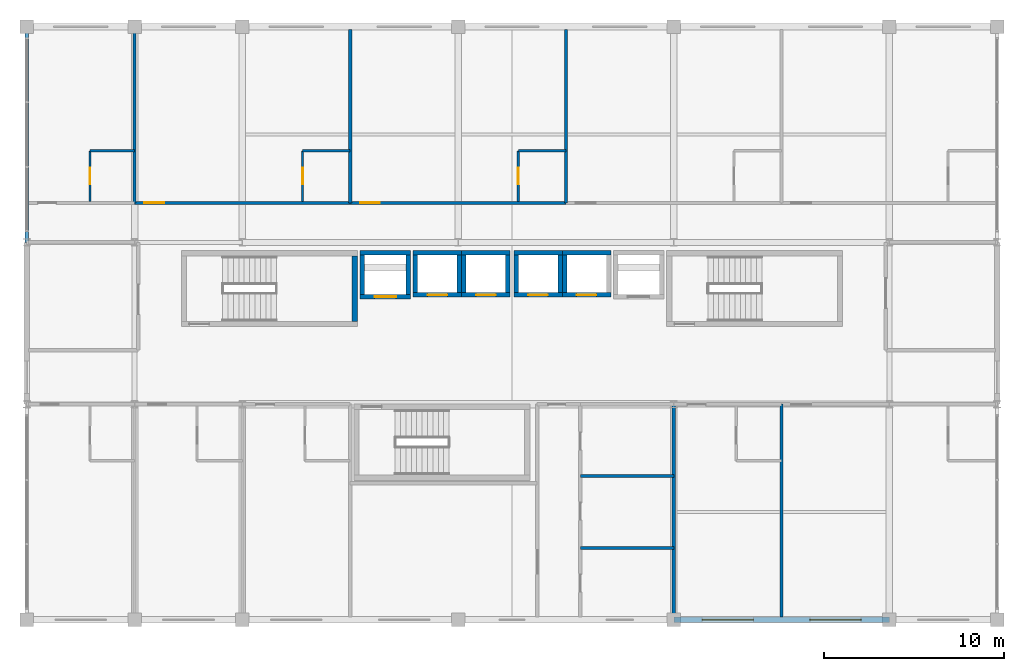
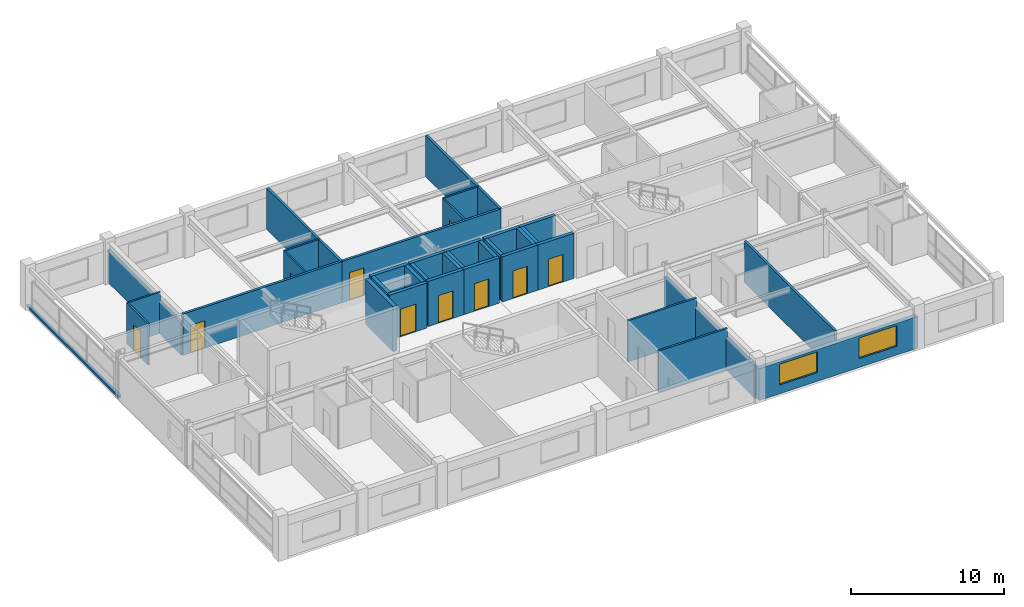
# One storey, part 17 of 20: 37 walls, 10 doors, 2 windows, 12 openings.
"""IFC4 building model written with IfcOpenShell, lengths in metres."""

from ifc_helpers import new_model, si_unit, direction, frame, frame_2d, origin, place, context, subcontext, project, spatial, rectangle, extrude, material, layer, layer_set, type_object, element, fill, save


model = new_model("IFC4")

# Units and contexts
model_context = context("Model", 3, precision=1e-05, world=origin(), true_north=direction((0.0, 1.0)))
body_context = subcontext(model_context, "Body", "Model", "MODEL_VIEW")
ifc_project = project(units=[si_unit("LENGTHUNIT", "METRE"), si_unit("AREAUNIT", "SQUARE_METRE"), si_unit("VOLUMEUNIT", "CUBIC_METRE"), si_unit("PLANEANGLEUNIT", "RADIAN"), si_unit("MASSUNIT", "GRAM", prefix="KILO")], contexts=[model_context])

# Site, building, storey
site_placement = place(None, origin())
site = spatial("IfcSite", under=ifc_project, at=site_placement, CompositionType="ELEMENT")
building_placement = place(site_placement, origin())
building = spatial("IfcBuilding", under=site, at=building_placement, Name="Kaldorvane Square Convention Centre", CompositionType="ELEMENT")
storey_placement = place(building_placement, frame((0.0, 0.0, 56.399993896484375)))
storey = spatial("IfcBuildingStorey", under=building, at=storey_placement, Name="L13", CompositionType="ELEMENT", Elevation=56.399993896484375)

# Wall, opening, door
ifc_material_1 = material(Name="Fire-Rated Gypsum Board on Acoustic Steel Studs", Category="steel")
ifc_layer_1 = layer(ifc_material_1, 0.125)
ifc_layer_set_1 = layer_set([ifc_layer_1], Name="Fire-Rated Gypsum Board on Acoustic Steel Studs")
wall_type_1 = type_object("IfcWallType", Name="WL-BATH-125", PredefinedType="PARTITIONING", material=ifc_layer_set_1)
wall_1_placement = place(storey_placement, frame((33.52000427246094, 107.28999328613281, 0.0), z_axis=(0.0, 0.0, 1.0), x_axis=(0.0, 1.0, 0.0)))
wall_1 = element("IfcWall", 1, at=wall_1_placement, inside=storey, type_object=wall_type_1, Name="En-Suite 1301 West Wall", PredefinedType="PARTITIONING", context=body_context, shape_type="SweptSolid", body=[
    extrude(rectangle(XDim=2.8100128173828125, YDim=0.125, at=frame_2d((1.404998779296875, 0.0))), origin(), (0.0, 0.0, 1.0), 3.290008544921875),
])
opening_1_placement = place(wall_1_placement, frame((0.9499969482421875, 0.0, 0.0)))
opening_1 = element("IfcOpeningElement", 2, at=opening_1_placement, cuts=wall_1, Name="Opening ID-12", PredefinedType="OPENING", context=body_context, shape_type="SweptSolid", body=[
    extrude(rectangle(XDim=0.9199981689453125, YDim=2.100006103515625, at=frame_2d((0.459991455078125, 1.0500030517578125))), frame((0.0, 0.0774993896484375, 0.0), z_axis=(0.0, -1.0, 0.0), x_axis=(1.0, 0.0, 0.0)), (0.0, 0.0, 1.0), 0.154998779296875),
])
ifc_material_2 = material(Name="Architectural Solid-Core White Oak")
door_type_1 = type_object("IfcDoorType", Name="DR-BATH-0920X2100", OperationType="SINGLE_SWING_RIGHT", PredefinedType="DOOR", material=ifc_material_2)
door_1_placement = place(opening_1_placement, origin())
door_1 = element("IfcDoor", 3, at=door_1_placement, inside=storey, type_object=door_type_1, Name="En-Suite Bathroom 1301 Door", OperationType="SINGLE_SWING_RIGHT", OverallHeight=2.100006103515625, OverallWidth=0.9199981689453125, PredefinedType="DOOR", context=body_context, shape_type="SweptSolid", body=[
    extrude(rectangle(XDim=0.9199981689453125, YDim=2.100006103515625, at=frame_2d((0.459991455078125, 1.0500030517578125))), frame((0.0, 0.024993896484375, 0.0), z_axis=(0.0, -1.0, 0.0), x_axis=(1.0, 0.0, 0.0)), (0.0, 0.0, 1.0), 0.0500030517578125),
])
fill(opening_1, door_1)

# Wall
wall_2_placement = place(storey_placement, frame((33.52000427246094, 110.10000610351562, 0.0), z_axis=(0.0, 0.0, 1.0), x_axis=(1.0, 0.0, 0.0)))
element("IfcWall", 4, at=wall_2_placement, inside=storey, type_object=wall_type_1, Name="En-Suite 1301 North Wall", PredefinedType="PARTITIONING", context=body_context, shape_type="SweptSolid", body=[
    extrude(rectangle(XDim=2.4799957275390625, YDim=0.125, at=frame_2d((1.239990234375, 0.0))), origin(), (0.0, 0.0, 1.0), 3.290008544921875),
])

# Wall, opening, door
wall_3_placement = place(storey_placement, frame((45.350006103515625, 107.28999328613281, 0.0), z_axis=(0.0, 0.0, 1.0), x_axis=(0.0, 1.0, 0.0)))
wall_3 = element("IfcWall", 5, at=wall_3_placement, inside=storey, type_object=wall_type_1, Name="En-Suite 1302 West Wall", PredefinedType="PARTITIONING", context=body_context, shape_type="SweptSolid", body=[
    extrude(rectangle(XDim=2.8100128173828125, YDim=0.125, at=frame_2d((1.404998779296875, 0.0))), origin(), (0.0, 0.0, 1.0), 3.290008544921875),
])
opening_2_placement = place(wall_3_placement, frame((0.9499969482421875, 0.0, 0.0)))
opening_2 = element("IfcOpeningElement", 6, at=opening_2_placement, cuts=wall_3, Name="Opening ID-12", PredefinedType="OPENING", context=body_context, shape_type="SweptSolid", body=[
    extrude(rectangle(XDim=0.9199981689453125, YDim=2.100006103515625, at=frame_2d((0.459991455078125, 1.0500030517578125))), frame((0.0, 0.0774993896484375, 0.0), z_axis=(0.0, -1.0, 0.0), x_axis=(1.0, 0.0, 0.0)), (0.0, 0.0, 1.0), 0.154998779296875),
])
door_2_placement = place(opening_2_placement, origin())
door_2 = element("IfcDoor", 7, at=door_2_placement, inside=storey, type_object=door_type_1, Name="En-Suite Bathroom 1302 Door", OperationType="SINGLE_SWING_RIGHT", OverallHeight=2.100006103515625, OverallWidth=0.9199981689453125, PredefinedType="DOOR", context=body_context, shape_type="SweptSolid", body=[
    extrude(rectangle(XDim=0.9199981689453125, YDim=2.100006103515625, at=frame_2d((0.459991455078125, 1.0500030517578125))), frame((0.0, 0.024993896484375, 0.0), z_axis=(0.0, -1.0, 0.0), x_axis=(1.0, 0.0, 0.0)), (0.0, 0.0, 1.0), 0.0500030517578125),
])
fill(opening_2, door_2)

# Wall
wall_4_placement = place(storey_placement, frame((45.350006103515625, 110.10000610351562, 0.0), z_axis=(0.0, 0.0, 1.0), x_axis=(1.0, 0.0, 0.0)))
element("IfcWall", 8, at=wall_4_placement, inside=storey, type_object=wall_type_1, Name="En-Suite 1302 North Wall", PredefinedType="PARTITIONING", context=body_context, shape_type="SweptSolid", body=[
    extrude(rectangle(XDim=2.649993896484375, YDim=0.125, at=frame_2d((1.3249969482421875, 0.0))), origin(), (0.0, 0.0, 1.0), 3.290008544921875),
])

# Wall, opening, door
wall_5_placement = place(storey_placement, frame((57.350006103515625, 107.28999328613281, 0.0), z_axis=(0.0, 0.0, 1.0), x_axis=(0.0, 1.0, 0.0)))
wall_5 = element("IfcWall", 9, at=wall_5_placement, inside=storey, type_object=wall_type_1, Name="En-Suite 1303 West Wall", PredefinedType="PARTITIONING", context=body_context, shape_type="SweptSolid", body=[
    extrude(rectangle(XDim=2.8100128173828125, YDim=0.125, at=frame_2d((1.404998779296875, 0.0))), origin(), (0.0, 0.0, 1.0), 3.290008544921875),
])
opening_3_placement = place(wall_5_placement, frame((0.9499969482421875, 0.0, 0.0)))
opening_3 = element("IfcOpeningElement", 10, at=opening_3_placement, cuts=wall_5, Name="Opening ID-12", PredefinedType="OPENING", context=body_context, shape_type="SweptSolid", body=[
    extrude(rectangle(XDim=0.9199981689453125, YDim=2.100006103515625, at=frame_2d((0.459991455078125, 1.0500030517578125))), frame((0.0, 0.0774993896484375, 0.0), z_axis=(0.0, -1.0, 0.0), x_axis=(1.0, 0.0, 0.0)), (0.0, 0.0, 1.0), 0.154998779296875),
])
door_3_placement = place(opening_3_placement, origin())
door_3 = element("IfcDoor", 11, at=door_3_placement, inside=storey, type_object=door_type_1, Name="En-Suite Bathroom 1303 Door", OperationType="SINGLE_SWING_RIGHT", OverallHeight=2.100006103515625, OverallWidth=0.9199981689453125, PredefinedType="DOOR", context=body_context, shape_type="SweptSolid", body=[
    extrude(rectangle(XDim=0.9199981689453125, YDim=2.100006103515625, at=frame_2d((0.459991455078125, 1.0500030517578125))), frame((0.0, 0.024993896484375, 0.0), z_axis=(0.0, -1.0, 0.0), x_axis=(1.0, 0.0, 0.0)), (0.0, 0.0, 1.0), 0.0500030517578125),
])
fill(opening_3, door_3)

# Walls
wall_6_placement = place(storey_placement, frame((57.350006103515625, 110.10000610351562, 0.0), z_axis=(0.0, 0.0, 1.0), x_axis=(1.0, 0.0, 0.0)))
element("IfcWall", 12, at=wall_6_placement, inside=storey, type_object=wall_type_1, Name="En-Suite 1303 North Wall", PredefinedType="PARTITIONING", context=body_context, shape_type="SweptSolid", body=[
    extrude(rectangle(XDim=2.649993896484375, YDim=0.125, at=frame_2d((1.3249969482421875, 0.0))), origin(), (0.0, 0.0, 1.0), 3.290008544921875),
])
ifc_layer_2 = layer(ifc_material_1, 0.1999969482421875)
ifc_layer_set_2 = layer_set([ifc_layer_2], Name="Fire-Rated Gypsum Board on Acoustic Steel Studs")
wall_type_2 = type_object("IfcWallType", Name="WL-CORR-200", PredefinedType="PARTITIONING", material=ifc_layer_set_2)
wall_7_placement = place(storey_placement, frame((66.0, 84.16000366210938, 0.0), z_axis=(0.0, 0.0, 1.0), x_axis=(0.0, 1.0, 0.0)))
element("IfcWall", 13, at=wall_7_placement, inside=storey, type_object=wall_type_2, Name="Restroom East Wall (L13)", PredefinedType="PARTITIONING", context=body_context, shape_type="SweptSolid", body=[
    extrude(rectangle(XDim=11.839996337890625, YDim=0.1999969482421875, at=frame_2d((5.9199981689453125, 0.0))), origin(), (0.0, 0.0, 1.0), 2.5900115966796875),
])

# Wall, openings, windows
ifc_material_3 = material(Name="Concrete f'c = 35 MPa (Normalweight)", Category="concrete")
ifc_layer_3 = layer(ifc_material_3, 0.32000732421875)
ifc_layer_set_3 = layer_set([ifc_layer_3], Name="Concrete f'c = 35 MPa (Normalweight)")
wall_type_3 = type_object("IfcWallType", Name="WL-EXT-320", PredefinedType="STANDARD", material=ifc_layer_set_3)
wall_8_placement = place(storey_placement, frame((66.0, 84.0, 0.0), z_axis=(0.0, 0.0, 1.0), x_axis=(1.0, 0.0, 0.0)))
wall_8 = element("IfcWall", 14, at=wall_8_placement, inside=storey, type_object=wall_type_3, Name="Hotel S Brutalist Facade Wall (L13)", PredefinedType="STANDARD", context=body_context, shape_type="SweptSolid", body=[
    extrude(rectangle(XDim=12.0, YDim=0.32000732421875, at=frame_2d((6.0, 0.0))), origin(), (0.0, 0.0, 1.0), 2.5360107421875),
])
opening_4_placement = place(wall_8_placement, frame((1.5749969482421875, 0.0, 0.6999969482421875)))
opening_4 = element("IfcOpeningElement", 15, at=opening_4_placement, cuts=wall_8, Name="Opening W-04", PredefinedType="OPENING", context=body_context, shape_type="SweptSolid", body=[
    extrude(rectangle(XDim=2.850006103515625, YDim=1.649993896484375, at=frame_2d((1.4250030517578125, 0.8249969482421875))), frame((0.0, 0.1750030517578125, 0.0), z_axis=(0.0, -1.0, 0.0), x_axis=(1.0, 0.0, 0.0)), (0.0, 0.0, 1.0), 0.350006103515625),
])
opening_5_placement = place(wall_8_placement, frame((7.5749969482421875, 0.0, 0.6999969482421875)))
opening_5 = element("IfcOpeningElement", 16, at=opening_5_placement, cuts=wall_8, Name="Opening W-04", PredefinedType="OPENING", context=body_context, shape_type="SweptSolid", body=[
    extrude(rectangle(XDim=2.850006103515625, YDim=1.649993896484375, at=frame_2d((1.4250030517578125, 0.8249969482421875))), frame((0.0, 0.1750030517578125, 0.0), z_axis=(0.0, -1.0, 0.0), x_axis=(1.0, 0.0, 0.0)), (0.0, 0.0, 1.0), 0.350006103515625),
])
ifc_material_4 = material(Name="Anodized Aluminum and Low-E Insulated Glazing", Category="aluminium")
window_type = type_object("IfcWindowType", Name="WN-HTL-2850X1650", PartitioningType="TRIPLE_PANEL_VERTICAL", PredefinedType="WINDOW", material=ifc_material_4)
window_1_placement = place(opening_4_placement, origin())
window_1 = element("IfcWindow", 17, at=window_1_placement, inside=storey, type_object=window_type, Name="Hotel S Window (L13)", OverallHeight=1.649993896484375, OverallWidth=2.850006103515625, PartitioningType="TRIPLE_PANEL_VERTICAL", PredefinedType="WINDOW", context=body_context, shape_type="SweptSolid", body=[
    extrude(rectangle(XDim=2.850006103515625, YDim=1.649993896484375, at=frame_2d((1.4250030517578125, 0.8249969482421875))), frame((0.0, 0.029998779296875, 0.0), z_axis=(0.0, -1.0, 0.0), x_axis=(1.0, 0.0, 0.0)), (0.0, 0.0, 1.0), 0.05999755859375),
])
fill(opening_4, window_1)
window_2_placement = place(opening_5_placement, origin())
window_2 = element("IfcWindow", 18, at=window_2_placement, inside=storey, type_object=window_type, Name="Hotel S Window (L13)", OverallHeight=1.649993896484375, OverallWidth=2.850006103515625, PartitioningType="TRIPLE_PANEL_VERTICAL", PredefinedType="WINDOW", context=body_context, shape_type="SweptSolid", body=[
    extrude(rectangle(XDim=2.850006103515625, YDim=1.649993896484375, at=frame_2d((1.4250030517578125, 0.8249969482421875))), frame((0.0, 0.029998779296875, 0.0), z_axis=(0.0, -1.0, 0.0), x_axis=(1.0, 0.0, 0.0)), (0.0, 0.0, 1.0), 0.05999755859375),
])
fill(opening_5, window_2)

# Walls
ifc_layer_4 = layer(ifc_material_3, 0.220001220703125)
ifc_layer_set_4 = layer_set([ifc_layer_4], Name="Concrete f'c = 35 MPa (Normalweight)")
wall_type_4 = type_object("IfcWallType", Name="WL-PAR-220", PredefinedType="PARAPET", material=ifc_layer_set_4)
wall_9_placement = place(storey_placement, frame((30.0, 117.0, 0.0), z_axis=(0.0, 0.0, 1.0), x_axis=(0.0, -1.0, 0.0)))
element("IfcWall", 19, at=wall_9_placement, inside=storey, type_object=wall_type_4, Name="Hotel End Curtain-Wall Sill (L13)", PredefinedType="PARAPET", context=body_context, shape_type="SweptSolid", body=[
    extrude(rectangle(XDim=12.0, YDim=0.220001220703125, at=frame_2d((6.0, 0.0))), origin(), (0.0, 0.0, 1.0), 0.20001220703125),
])
ifc_layer_5 = layer(ifc_material_1, 0.149993896484375)
ifc_layer_set_5 = layer_set([ifc_layer_5], Name="Fire-Rated Gypsum Board on Acoustic Steel Studs")
wall_type_5 = type_object("IfcWallType", Name="WL-PART-150", PredefinedType="PARTITIONING", material=ifc_layer_set_5)
for number, where, z_axis, x_axis, name in (
    (20, (60.80000305175781, 88.0, 0.0), (0.0, 0.0, 1.0), (1.0, 0.0, 0.0), "Restroom Partition 1 (L13)"),
    (21, (60.80000305175781, 92.0, 0.0), (0.0, 0.0, 1.0), (1.0, 0.0, 0.0), "Restroom Partition 2 (L13)"),
):
    element("IfcWall", number, at=place(storey_placement, frame(where, z_axis=z_axis, x_axis=x_axis)), inside=storey, type_object=wall_type_5, Name=name, PredefinedType="PARTITIONING", context=body_context, shape_type="SweptSolid", body=[
        extrude(rectangle(XDim=5.1999969482421875, YDim=0.149993896484375, at=frame_2d((2.600006103515625, 0.0))), origin(), (0.0, 0.0, 1.0), 3.290008544921875),
    ])
ifc_material_5 = material(Name="Concrete f'c = 55 MPa (Normalweight)", Category="concrete")
ifc_layer_6 = layer(ifc_material_5, 0.3000030517578125)
ifc_layer_set_6 = layer_set([ifc_layer_6], Name="Concrete f'c = 55 MPa (Normalweight)")
wall_type_6 = type_object("IfcWallType", Name="WL-SHAFT-300", PredefinedType="SHEAR", material=ifc_layer_set_6)
wall_10_placement = place(storey_placement, frame((48.25, 100.61000061035156, 0.0), z_axis=(0.0, 0.0, 1.0), x_axis=(0.0, 1.0, 0.0)))
element("IfcWall", 22, at=wall_10_placement, inside=storey, type_object=wall_type_6, Name="Core Enclosure Wall stair:ST-T1-E (L13)", PredefinedType="SHEAR", context=body_context, shape_type="SweptSolid", body=[
    extrude(rectangle(XDim=3.6399993896484375, YDim=0.3000030517578125, at=frame_2d((1.82000732421875, 0.0))), origin(), (0.0, 0.0, 1.0), 3.600006103515625),
])

# Wall, opening, door
wall_11_placement = place(storey_placement, frame((48.55000305175781, 101.97500610351562, 0.0), z_axis=(0.0, 0.0, 1.0), x_axis=(1.0, 0.0, 0.0)))
wall_11 = element("IfcWall", 23, at=wall_11_placement, inside=storey, type_object=wall_type_6, Name="Core Enclosure Wall lift:FSAE-01-S (L13)", PredefinedType="SHEAR", context=body_context, shape_type="SweptSolid", body=[
    extrude(rectangle(XDim=2.8000030517578125, YDim=0.25, at=frame_2d((1.399993896484375, 0.0))), origin(), (0.0, 0.0, 1.0), 3.600006103515625),
])
opening_6_placement = place(wall_11_placement, frame((0.8000030517578125, 0.0, 0.0)))
opening_6 = element("IfcOpeningElement", 24, at=opening_6_placement, cuts=wall_11, Name="Opening LD-02", PredefinedType="OPENING", context=body_context, shape_type="SweptSolid", body=[
    extrude(rectangle(XDim=1.1999969482421875, YDim=2.1999969482421875, at=frame_2d((0.600006103515625, 1.100006103515625))), frame((0.0, 0.1399993896484375, 0.0), z_axis=(0.0, -1.0, 0.0), x_axis=(1.0, 0.0, 0.0)), (0.0, 0.0, 1.0), 0.279998779296875),
])
ifc_material_6 = material(Name="Stainless Steel Elevator Door Assembly", Category="steel")
door_type_2 = type_object("IfcDoorType", Name="DR-LIFT-1200", OperationType="DOUBLE_DOOR_SLIDING", PredefinedType="DOOR", material=ifc_material_6)
door_4_placement = place(opening_6_placement, origin())
door_4 = element("IfcDoor", 25, at=door_4_placement, inside=storey, type_object=door_type_2, Name="Elevator Landing Door FSAE-01 (L13)", OperationType="DOUBLE_DOOR_SLIDING", OverallHeight=2.1999969482421875, OverallWidth=1.1999969482421875, PredefinedType="DOOR", context=body_context, shape_type="SweptSolid", body=[
    extrude(rectangle(XDim=1.1999969482421875, YDim=2.1999969482421875, at=frame_2d((0.600006103515625, 1.100006103515625))), frame((0.0, 0.024993896484375, 0.0), z_axis=(0.0, -1.0, 0.0), x_axis=(1.0, 0.0, 0.0)), (0.0, 0.0, 1.0), 0.0500030517578125),
])
fill(opening_6, door_4)

# Walls
wall_12_placement = place(storey_placement, frame((51.350006103515625, 104.42500305175781, 0.0), z_axis=(0.0, 0.0, 1.0), x_axis=(-1.0, 0.0, 0.0)))
element("IfcWall", 26, at=wall_12_placement, inside=storey, type_object=wall_type_6, Name="Core Enclosure Wall lift:FSAE-01-N (L13)", PredefinedType="SHEAR", context=body_context, shape_type="SweptSolid", body=[
    extrude(rectangle(XDim=2.8000030517578125, YDim=0.25, at=frame_2d((1.399993896484375, 0.0))), origin(), (0.0, 0.0, 1.0), 3.600006103515625),
])
for number, where, z_axis, x_axis, name in (
    (27, (48.67500305175781, 104.30000305175781, 0.0), (0.0, 0.0, 1.0), (0.0, -1.0, 0.0), "Core Enclosure Wall lift:FSAE-01-W (L13)"),
    (28, (51.225006103515625, 102.10000610351562, 0.0), (0.0, 0.0, 1.0), (0.0, 1.0, 0.0), "Core Enclosure Wall lift:FSAE-01-E (L13)"),
):
    element("IfcWall", number, at=place(storey_placement, frame(where, z_axis=z_axis, x_axis=x_axis)), inside=storey, type_object=wall_type_6, Name=name, PredefinedType="SHEAR", context=body_context, shape_type="SweptSolid", body=[
        extrude(rectangle(XDim=2.1999969482421875, YDim=0.25, at=frame_2d((1.100006103515625, 0.0))), origin(), (0.0, 0.0, 1.0), 3.600006103515625),
    ])

# Wall, opening, door
wall_13_placement = place(storey_placement, frame((51.5, 102.07499694824219, 0.0), z_axis=(0.0, 0.0, 1.0), x_axis=(1.0, 0.0, 0.0)))
wall_13 = element("IfcWall", 29, at=wall_13_placement, inside=storey, type_object=wall_type_6, Name="Core Enclosure Wall lift:EL-P1-S (L13)", PredefinedType="SHEAR", context=body_context, shape_type="SweptSolid", body=[
    extrude(rectangle(XDim=2.6999969482421875, YDim=0.25, at=frame_2d((1.350006103515625, 0.0))), origin(), (0.0, 0.0, 1.0), 3.600006103515625),
])
opening_7_placement = place(wall_13_placement, frame((0.8000030517578125, 0.0, 0.0)))
opening_7 = element("IfcOpeningElement", 30, at=opening_7_placement, cuts=wall_13, Name="Opening LD-01", PredefinedType="OPENING", context=body_context, shape_type="SweptSolid", body=[
    extrude(rectangle(XDim=1.100006103515625, YDim=2.1999969482421875, at=frame_2d((0.5500030517578125, 1.100006103515625))), frame((0.0, 0.1399993896484375, 0.0), z_axis=(0.0, -1.0, 0.0), x_axis=(1.0, 0.0, 0.0)), (0.0, 0.0, 1.0), 0.279998779296875),
])
door_type_3 = type_object("IfcDoorType", Name="DR-LIFT-1100", OperationType="DOUBLE_DOOR_SLIDING", PredefinedType="DOOR", material=ifc_material_6)
door_5_placement = place(opening_7_placement, origin())
door_5 = element("IfcDoor", 31, at=door_5_placement, inside=storey, type_object=door_type_3, Name="Elevator Landing Door EL-P1 (L13)", OperationType="DOUBLE_DOOR_SLIDING", OverallHeight=2.1999969482421875, OverallWidth=1.100006103515625, PredefinedType="DOOR", context=body_context, shape_type="SweptSolid", body=[
    extrude(rectangle(XDim=1.100006103515625, YDim=2.1999969482421875, at=frame_2d((0.5500030517578125, 1.100006103515625))), frame((0.0, 0.024993896484375, 0.0), z_axis=(0.0, -1.0, 0.0), x_axis=(1.0, 0.0, 0.0)), (0.0, 0.0, 1.0), 0.0500030517578125),
])
fill(opening_7, door_5)

# Walls
wall_14_placement = place(storey_placement, frame((54.19999694824219, 104.42500305175781, 0.0), z_axis=(0.0, 0.0, 1.0), x_axis=(-1.0, 0.0, 0.0)))
element("IfcWall", 32, at=wall_14_placement, inside=storey, type_object=wall_type_6, Name="Core Enclosure Wall lift:EL-P1-N (L13)", PredefinedType="SHEAR", context=body_context, shape_type="SweptSolid", body=[
    extrude(rectangle(XDim=2.6999969482421875, YDim=0.25, at=frame_2d((1.350006103515625, 0.0))), origin(), (0.0, 0.0, 1.0), 3.600006103515625),
])
for number, where, z_axis, x_axis, name in (
    (33, (51.625, 104.30000305175781, 0.0), (0.0, 0.0, 1.0), (0.0, -1.0, 0.0), "Core Enclosure Wall lift:EL-P1-W (L13)"),
    (34, (54.07499694824219, 102.19999694824219, 0.0), (0.0, 0.0, 1.0), (0.0, 1.0, 0.0), "Core Enclosure Wall lift:EL-P1-E (L13)"),
):
    element("IfcWall", number, at=place(storey_placement, frame(where, z_axis=z_axis, x_axis=x_axis)), inside=storey, type_object=wall_type_6, Name=name, PredefinedType="SHEAR", context=body_context, shape_type="SweptSolid", body=[
        extrude(rectangle(XDim=2.100006103515625, YDim=0.25, at=frame_2d((1.0500030517578125, 0.0))), origin(), (0.0, 0.0, 1.0), 3.600006103515625),
    ])

# Wall, opening, door
wall_15_placement = place(storey_placement, frame((54.19999694824219, 102.07499694824219, 0.0), z_axis=(0.0, 0.0, 1.0), x_axis=(1.0, 0.0, 0.0)))
wall_15 = element("IfcWall", 35, at=wall_15_placement, inside=storey, type_object=wall_type_6, Name="Core Enclosure Wall lift:EL-P2-S (L13)", PredefinedType="SHEAR", context=body_context, shape_type="SweptSolid", body=[
    extrude(rectangle(XDim=2.6999969482421875, YDim=0.25, at=frame_2d((1.350006103515625, 0.0))), origin(), (0.0, 0.0, 1.0), 3.600006103515625),
])
opening_8_placement = place(wall_15_placement, frame((0.8000030517578125, 0.0, 0.0)))
opening_8 = element("IfcOpeningElement", 36, at=opening_8_placement, cuts=wall_15, Name="Opening LD-01", PredefinedType="OPENING", context=body_context, shape_type="SweptSolid", body=[
    extrude(rectangle(XDim=1.100006103515625, YDim=2.1999969482421875, at=frame_2d((0.5500030517578125, 1.100006103515625))), frame((0.0, 0.1399993896484375, 0.0), z_axis=(0.0, -1.0, 0.0), x_axis=(1.0, 0.0, 0.0)), (0.0, 0.0, 1.0), 0.279998779296875),
])
door_6_placement = place(opening_8_placement, origin())
door_6 = element("IfcDoor", 37, at=door_6_placement, inside=storey, type_object=door_type_3, Name="Elevator Landing Door EL-P2 (L13)", OperationType="DOUBLE_DOOR_SLIDING", OverallHeight=2.1999969482421875, OverallWidth=1.100006103515625, PredefinedType="DOOR", context=body_context, shape_type="SweptSolid", body=[
    extrude(rectangle(XDim=1.100006103515625, YDim=2.1999969482421875, at=frame_2d((0.5500030517578125, 1.100006103515625))), frame((0.0, 0.024993896484375, 0.0), z_axis=(0.0, -1.0, 0.0), x_axis=(1.0, 0.0, 0.0)), (0.0, 0.0, 1.0), 0.0500030517578125),
])
fill(opening_8, door_6)

# Walls
wall_16_placement = place(storey_placement, frame((56.899993896484375, 104.42500305175781, 0.0), z_axis=(0.0, 0.0, 1.0), x_axis=(-1.0, 0.0, 0.0)))
element("IfcWall", 38, at=wall_16_placement, inside=storey, type_object=wall_type_6, Name="Core Enclosure Wall lift:EL-P2-N (L13)", PredefinedType="SHEAR", context=body_context, shape_type="SweptSolid", body=[
    extrude(rectangle(XDim=2.6999969482421875, YDim=0.25, at=frame_2d((1.350006103515625, 0.0))), origin(), (0.0, 0.0, 1.0), 3.600006103515625),
])
for number, where, z_axis, x_axis, name in (
    (39, (54.32499694824219, 104.30000305175781, 0.0), (0.0, 0.0, 1.0), (0.0, -1.0, 0.0), "Core Enclosure Wall lift:EL-P2-W (L13)"),
    (40, (56.774993896484375, 102.19999694824219, 0.0), (0.0, 0.0, 1.0), (0.0, 1.0, 0.0), "Core Enclosure Wall lift:EL-P2-E (L13)"),
):
    element("IfcWall", number, at=place(storey_placement, frame(where, z_axis=z_axis, x_axis=x_axis)), inside=storey, type_object=wall_type_6, Name=name, PredefinedType="SHEAR", context=body_context, shape_type="SweptSolid", body=[
        extrude(rectangle(XDim=2.100006103515625, YDim=0.25, at=frame_2d((1.0500030517578125, 0.0))), origin(), (0.0, 0.0, 1.0), 3.600006103515625),
    ])

# Wall, opening, door
wall_17_placement = place(storey_placement, frame((57.100006103515625, 102.07499694824219, 0.0), z_axis=(0.0, 0.0, 1.0), x_axis=(1.0, 0.0, 0.0)))
wall_17 = element("IfcWall", 41, at=wall_17_placement, inside=storey, type_object=wall_type_6, Name="Core Enclosure Wall lift:EL-P3-S (L13)", PredefinedType="SHEAR", context=body_context, shape_type="SweptSolid", body=[
    extrude(rectangle(XDim=2.6999969482421875, YDim=0.25, at=frame_2d((1.350006103515625, 0.0))), origin(), (0.0, 0.0, 1.0), 3.600006103515625),
])
opening_9_placement = place(wall_17_placement, frame((0.8000030517578125, 0.0, 0.0)))
opening_9 = element("IfcOpeningElement", 42, at=opening_9_placement, cuts=wall_17, Name="Opening LD-01", PredefinedType="OPENING", context=body_context, shape_type="SweptSolid", body=[
    extrude(rectangle(XDim=1.100006103515625, YDim=2.1999969482421875, at=frame_2d((0.5500030517578125, 1.100006103515625))), frame((0.0, 0.1399993896484375, 0.0), z_axis=(0.0, -1.0, 0.0), x_axis=(1.0, 0.0, 0.0)), (0.0, 0.0, 1.0), 0.279998779296875),
])
door_7_placement = place(opening_9_placement, origin())
door_7 = element("IfcDoor", 43, at=door_7_placement, inside=storey, type_object=door_type_3, Name="Elevator Landing Door EL-P3 (L13)", OperationType="DOUBLE_DOOR_SLIDING", OverallHeight=2.1999969482421875, OverallWidth=1.100006103515625, PredefinedType="DOOR", context=body_context, shape_type="SweptSolid", body=[
    extrude(rectangle(XDim=1.100006103515625, YDim=2.1999969482421875, at=frame_2d((0.5500030517578125, 1.100006103515625))), frame((0.0, 0.024993896484375, 0.0), z_axis=(0.0, -1.0, 0.0), x_axis=(1.0, 0.0, 0.0)), (0.0, 0.0, 1.0), 0.0500030517578125),
])
fill(opening_9, door_7)

# Walls
wall_18_placement = place(storey_placement, frame((59.80000305175781, 104.42500305175781, 0.0), z_axis=(0.0, 0.0, 1.0), x_axis=(-1.0, 0.0, 0.0)))
element("IfcWall", 44, at=wall_18_placement, inside=storey, type_object=wall_type_6, Name="Core Enclosure Wall lift:EL-P3-N (L13)", PredefinedType="SHEAR", context=body_context, shape_type="SweptSolid", body=[
    extrude(rectangle(XDim=2.6999969482421875, YDim=0.25, at=frame_2d((1.350006103515625, 0.0))), origin(), (0.0, 0.0, 1.0), 3.600006103515625),
])
for number, where, z_axis, x_axis, name in (
    (45, (57.225006103515625, 104.30000305175781, 0.0), (0.0, 0.0, 1.0), (0.0, -1.0, 0.0), "Core Enclosure Wall lift:EL-P3-W (L13)"),
    (46, (59.67500305175781, 102.19999694824219, 0.0), (0.0, 0.0, 1.0), (0.0, 1.0, 0.0), "Core Enclosure Wall lift:EL-P3-E (L13)"),
):
    element("IfcWall", number, at=place(storey_placement, frame(where, z_axis=z_axis, x_axis=x_axis)), inside=storey, type_object=wall_type_6, Name=name, PredefinedType="SHEAR", context=body_context, shape_type="SweptSolid", body=[
        extrude(rectangle(XDim=2.100006103515625, YDim=0.25, at=frame_2d((1.0500030517578125, 0.0))), origin(), (0.0, 0.0, 1.0), 3.600006103515625),
    ])

# Wall, opening, door
wall_19_placement = place(storey_placement, frame((59.80000305175781, 102.07499694824219, 0.0), z_axis=(0.0, 0.0, 1.0), x_axis=(1.0, 0.0, 0.0)))
wall_19 = element("IfcWall", 47, at=wall_19_placement, inside=storey, type_object=wall_type_6, Name="Core Enclosure Wall lift:EL-P4-S (L13)", PredefinedType="SHEAR", context=body_context, shape_type="SweptSolid", body=[
    extrude(rectangle(XDim=2.6999969482421875, YDim=0.25, at=frame_2d((1.350006103515625, 0.0))), origin(), (0.0, 0.0, 1.0), 3.600006103515625),
])
opening_10_placement = place(wall_19_placement, frame((0.8000030517578125, 0.0, 0.0)))
opening_10 = element("IfcOpeningElement", 48, at=opening_10_placement, cuts=wall_19, Name="Opening LD-01", PredefinedType="OPENING", context=body_context, shape_type="SweptSolid", body=[
    extrude(rectangle(XDim=1.100006103515625, YDim=2.1999969482421875, at=frame_2d((0.5500030517578125, 1.100006103515625))), frame((0.0, 0.1399993896484375, 0.0), z_axis=(0.0, -1.0, 0.0), x_axis=(1.0, 0.0, 0.0)), (0.0, 0.0, 1.0), 0.279998779296875),
])
door_8_placement = place(opening_10_placement, origin())
door_8 = element("IfcDoor", 49, at=door_8_placement, inside=storey, type_object=door_type_3, Name="Elevator Landing Door EL-P4 (L13)", OperationType="DOUBLE_DOOR_SLIDING", OverallHeight=2.1999969482421875, OverallWidth=1.100006103515625, PredefinedType="DOOR", context=body_context, shape_type="SweptSolid", body=[
    extrude(rectangle(XDim=1.100006103515625, YDim=2.1999969482421875, at=frame_2d((0.5500030517578125, 1.100006103515625))), frame((0.0, 0.024993896484375, 0.0), z_axis=(0.0, -1.0, 0.0), x_axis=(1.0, 0.0, 0.0)), (0.0, 0.0, 1.0), 0.0500030517578125),
])
fill(opening_10, door_8)

# Walls
wall_20_placement = place(storey_placement, frame((62.5, 104.42500305175781, 0.0), z_axis=(0.0, 0.0, 1.0), x_axis=(-1.0, 0.0, 0.0)))
element("IfcWall", 50, at=wall_20_placement, inside=storey, type_object=wall_type_6, Name="Core Enclosure Wall lift:EL-P4-N (L13)", PredefinedType="SHEAR", context=body_context, shape_type="SweptSolid", body=[
    extrude(rectangle(XDim=2.6999969482421875, YDim=0.25, at=frame_2d((1.350006103515625, 0.0))), origin(), (0.0, 0.0, 1.0), 3.600006103515625),
])
wall_21_placement = place(storey_placement, frame((59.92500305175781, 104.30000305175781, 0.0), z_axis=(0.0, 0.0, 1.0), x_axis=(0.0, -1.0, 0.0)))
element("IfcWall", 51, at=wall_21_placement, inside=storey, type_object=wall_type_6, Name="Core Enclosure Wall lift:EL-P4-W (L13)", PredefinedType="SHEAR", context=body_context, shape_type="SweptSolid", body=[
    extrude(rectangle(XDim=2.100006103515625, YDim=0.25, at=frame_2d((1.0500030517578125, 0.0))), origin(), (0.0, 0.0, 1.0), 3.600006103515625),
])
ifc_layer_7 = layer(ifc_material_1, 0.17999267578125)
ifc_layer_set_7 = layer_set([ifc_layer_7], Name="Fire-Rated Gypsum Board on Acoustic Steel Studs")
wall_type_7 = type_object("IfcWallType", Name="WL-UNIT-180", PredefinedType="PARTITIONING", material=ifc_layer_set_7)
wall_22_placement = place(storey_placement, frame((36.0, 107.19999694824219, 0.0), z_axis=(0.0, 0.0, 1.0), x_axis=(0.0, 1.0, 0.0)))
element("IfcWall", 52, at=wall_22_placement, inside=storey, type_object=wall_type_7, Name="Guestroom Demising Wall 1301", PredefinedType="PARTITIONING", context=body_context, shape_type="SweptSolid", body=[
    extrude(rectangle(XDim=9.639999389648438, YDim=0.17999267578125, at=frame_2d((4.82000732421875, 0.0))), origin(), (0.0, 0.0, 1.0), 2.5900115966796875),
])

# Wall, opening, door
wall_23_placement = place(storey_placement, frame((36.0, 107.19999694824219, 0.0), z_axis=(0.0, 0.0, 1.0), x_axis=(1.0, 0.0, 0.0)))
wall_23 = element("IfcWall", 53, at=wall_23_placement, inside=storey, type_object=wall_type_7, Name="Presidential Suite 1302 Corridor Wall", PredefinedType="PARTITIONING", context=body_context, shape_type="SweptSolid", body=[
    extrude(rectangle(XDim=12.0, YDim=0.17999267578125, at=frame_2d((6.0, 0.0))), origin(), (0.0, 0.0, 1.0), 3.290008544921875),
])
opening_11_placement = place(wall_23_placement, frame((0.5500030517578125, 0.0, 0.0)))
opening_11 = element("IfcOpeningElement", 54, at=opening_11_placement, cuts=wall_23, Name="Opening ID-11", PredefinedType="OPENING", context=body_context, shape_type="SweptSolid", body=[
    extrude(rectangle(XDim=1.100006103515625, YDim=2.1999969482421875, at=frame_2d((0.5500030517578125, 1.100006103515625))), frame((0.0, 0.1049957275390625, 0.0), z_axis=(0.0, -1.0, 0.0), x_axis=(1.0, 0.0, 0.0)), (0.0, 0.0, 1.0), 0.209991455078125),
])
door_type_4 = type_object("IfcDoorType", Name="DR-SUITE-1100X2200", OperationType="SINGLE_SWING_LEFT", PredefinedType="DOOR", material=ifc_material_2)
door_9_placement = place(opening_11_placement, origin())
door_9 = element("IfcDoor", 55, at=door_9_placement, inside=storey, type_object=door_type_4, Name="Presidential Suite 1302 Entry Door", OperationType="SINGLE_SWING_LEFT", OverallHeight=2.1999969482421875, OverallWidth=1.100006103515625, PredefinedType="DOOR", context=body_context, shape_type="SweptSolid", body=[
    extrude(rectangle(XDim=1.100006103515625, YDim=2.1999969482421875, at=frame_2d((0.5500030517578125, 1.100006103515625))), frame((0.0, 0.024993896484375, 0.0), z_axis=(0.0, -1.0, 0.0), x_axis=(1.0, 0.0, 0.0)), (0.0, 0.0, 1.0), 0.0500030517578125),
])
fill(opening_11, door_9)

# Wall
wall_24_placement = place(storey_placement, frame((48.0, 107.19999694824219, 0.0), z_axis=(0.0, 0.0, 1.0), x_axis=(0.0, 1.0, 0.0)))
element("IfcWall", 56, at=wall_24_placement, inside=storey, type_object=wall_type_7, Name="Guestroom Demising Wall 1302", PredefinedType="PARTITIONING", context=body_context, shape_type="SweptSolid", body=[
    extrude(rectangle(XDim=9.639999389648438, YDim=0.17999267578125, at=frame_2d((4.82000732421875, 0.0))), origin(), (0.0, 0.0, 1.0), 3.290008544921875),
])

# Wall, opening, door
wall_25_placement = place(storey_placement, frame((48.0, 107.19999694824219, 0.0), z_axis=(0.0, 0.0, 1.0), x_axis=(1.0, 0.0, 0.0)))
wall_25 = element("IfcWall", 57, at=wall_25_placement, inside=storey, type_object=wall_type_7, Name="Presidential Suite 1303 Corridor Wall", PredefinedType="PARTITIONING", context=body_context, shape_type="SweptSolid", body=[
    extrude(rectangle(XDim=12.0, YDim=0.17999267578125, at=frame_2d((6.0, 0.0))), origin(), (0.0, 0.0, 1.0), 3.290008544921875),
])
opening_12_placement = place(wall_25_placement, frame((0.5500030517578125, 0.0, 0.0)))
opening_12 = element("IfcOpeningElement", 58, at=opening_12_placement, cuts=wall_25, Name="Opening ID-11", PredefinedType="OPENING", context=body_context, shape_type="SweptSolid", body=[
    extrude(rectangle(XDim=1.100006103515625, YDim=2.1999969482421875, at=frame_2d((0.5500030517578125, 1.100006103515625))), frame((0.0, 0.1049957275390625, 0.0), z_axis=(0.0, -1.0, 0.0), x_axis=(1.0, 0.0, 0.0)), (0.0, 0.0, 1.0), 0.209991455078125),
])
door_10_placement = place(opening_12_placement, origin())
door_10 = element("IfcDoor", 59, at=door_10_placement, inside=storey, type_object=door_type_4, Name="Presidential Suite 1303 Entry Door", OperationType="SINGLE_SWING_LEFT", OverallHeight=2.1999969482421875, OverallWidth=1.100006103515625, PredefinedType="DOOR", context=body_context, shape_type="SweptSolid", body=[
    extrude(rectangle(XDim=1.100006103515625, YDim=2.1999969482421875, at=frame_2d((0.5500030517578125, 1.100006103515625))), frame((0.0, 0.024993896484375, 0.0), z_axis=(0.0, -1.0, 0.0), x_axis=(1.0, 0.0, 0.0)), (0.0, 0.0, 1.0), 0.0500030517578125),
])
fill(opening_12, door_10)

# Walls
wall_26_placement = place(storey_placement, frame((60.0, 107.19999694824219, 0.0), z_axis=(0.0, 0.0, 1.0), x_axis=(0.0, 1.0, 0.0)))
element("IfcWall", 60, at=wall_26_placement, inside=storey, type_object=wall_type_7, Name="Guestroom Demising Wall 1303", PredefinedType="PARTITIONING", context=body_context, shape_type="SweptSolid", body=[
    extrude(rectangle(XDim=9.639999389648438, YDim=0.17999267578125, at=frame_2d((4.82000732421875, 0.0))), origin(), (0.0, 0.0, 1.0), 3.290008544921875),
])
wall_27_placement = place(storey_placement, frame((72.0, 84.16000366210938, 0.0), z_axis=(0.0, 0.0, 1.0), x_axis=(0.0, 1.0, 0.0)))
element("IfcWall", 61, at=wall_27_placement, inside=storey, type_object=wall_type_7, Name="Guestroom Demising Wall 1309", PredefinedType="PARTITIONING", context=body_context, shape_type="SweptSolid", body=[
    extrude(rectangle(XDim=11.839996337890625, YDim=0.17999267578125, at=frame_2d((5.9199981689453125, 0.0))), origin(), (0.0, 0.0, 1.0), 3.290008544921875),
])

save(model, "model.ifc")
